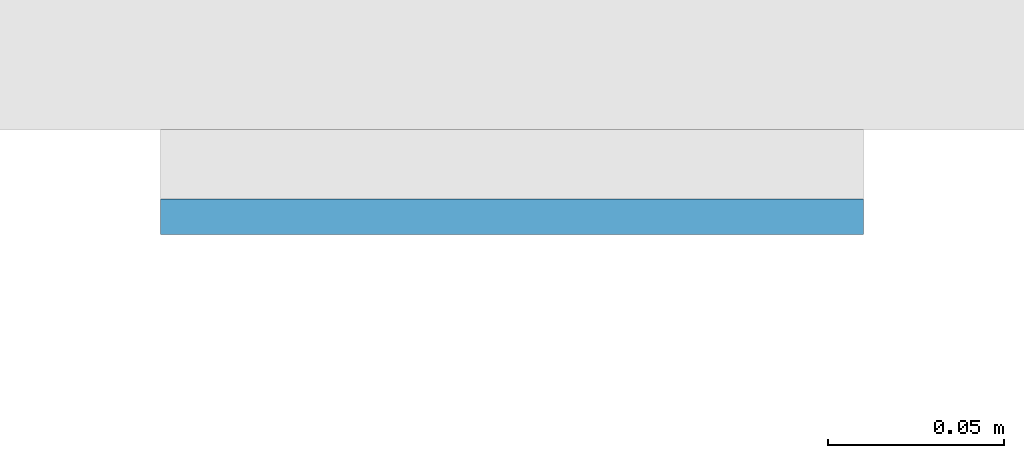
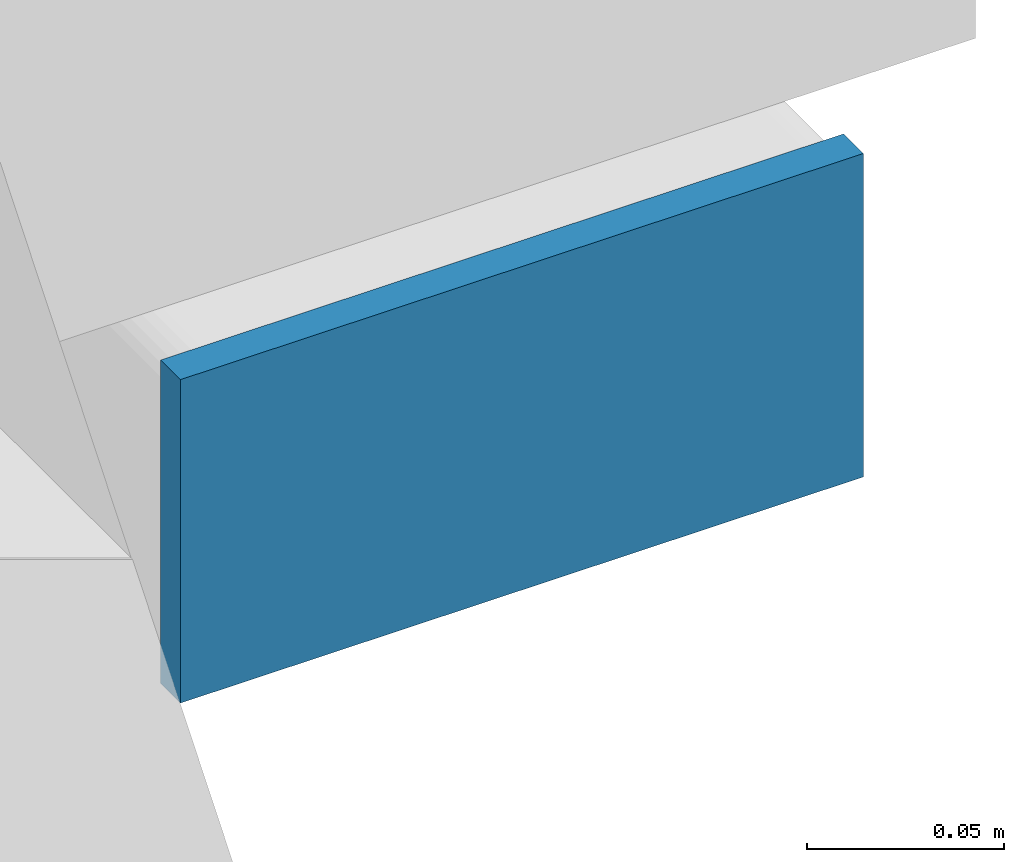
# One storey, part 9 of 15: 1 plate.
"""IFC4 building model written with IfcOpenShell, lengths in metres."""

from ifc_helpers import new_model, si_unit, direction, frame, origin, origin_2d, place, context, subcontext, project, spatial, rectangle, extrude, material, layer, layer_set, type_object, element, save


model = new_model("IFC4")

# Units and contexts
model_context = context("Model", 3, precision=1e-05, world=origin(), true_north=direction((0.0, 1.0)))
body_context = subcontext(model_context, "Body", "Model", "MODEL_VIEW")
ifc_project = project(units=[si_unit("LENGTHUNIT", "METRE"), si_unit("AREAUNIT", "SQUARE_METRE"), si_unit("VOLUMEUNIT", "CUBIC_METRE"), si_unit("PLANEANGLEUNIT", "RADIAN"), si_unit("MASSUNIT", "GRAM", prefix="KILO")], contexts=[model_context])

# Site, building, storey
site_placement = place(None, origin())
site = spatial("IfcSite", under=ifc_project, at=site_placement, CompositionType="ELEMENT")
building_placement = place(site_placement, origin())
building = spatial("IfcBuilding", under=site, at=building_placement, Name="Cleftline Residences", CompositionType="ELEMENT")
storey_placement = place(building_placement, frame((0.0, 0.0, 171.800048828125)))
storey = spatial("IfcBuildingStorey", under=building, at=storey_placement, Name="L45", CompositionType="ELEMENT", Elevation=171.800048828125)

# Plate
ifc_material = material(Name="Steel S355, hot-dip galvanised", Category="steel")
ifc_layer = layer(ifc_material, 0.010009765625)
ifc_layer_set = layer_set([ifc_layer], Name="BAGUETTE CARRIER END PLATE 200X100X10")
plate_type = type_object("IfcPlateType", Name="BAGUETTE CARRIER END PLATE 200X100X10", PredefinedType="USERDEFINED", material=ifc_layer_set)
plate_placement = place(storey_placement, frame((66.85009765625, 3.695068359375, -0.10009765625), z_axis=(0.0, 0.0, 1.0), x_axis=(1.0, 0.0, 0.0)))
element("IfcPlate", 1, at=plate_placement, inside=storey, type_object=plate_type, Name="Baguette carrier end plate", ObjectType="BAGUETTE CARRIER END PLATE", PredefinedType="USERDEFINED", context=body_context, shape_type="SweptSolid", body=[
    extrude(rectangle(XDim=0.199951171875, YDim=0.010009765625, at=origin_2d()), origin(), (0.0, 0.0, 1.0), 0.10009765625),
])

save(model, "model.ifc")
